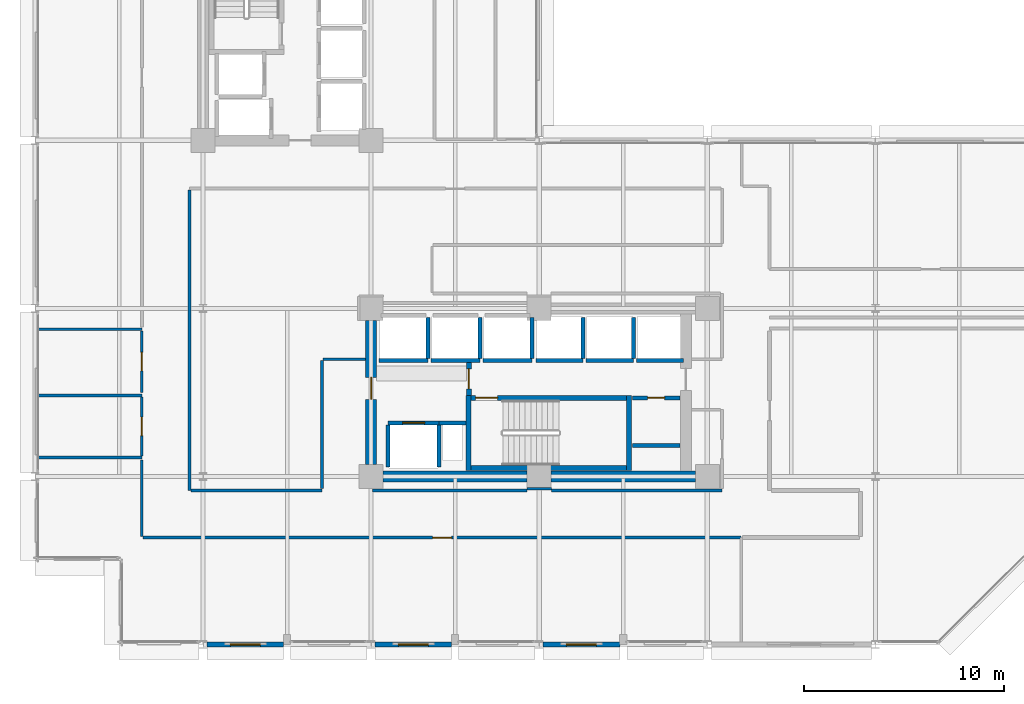
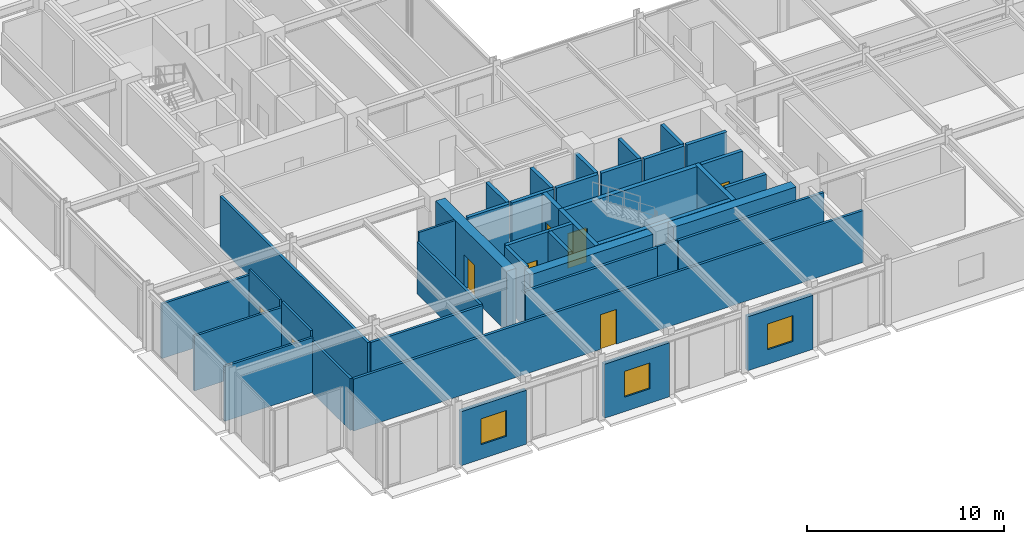
# One storey, part 33 of 40: 42 walls, 8 doors, 3 windows, 11 openings.
"""IFC4 building model written with IfcOpenShell, lengths in metres."""

from ifc_helpers import new_model, si_unit, direction, frame, frame_2d, origin, place, context, subcontext, project, spatial, rectangle, extrude, material, layer, layer_set, type_object, element, fill, save


model = new_model("IFC4")

# Units and contexts
model_context = context("Model", 3, precision=1e-05, world=origin(), true_north=direction((0.0, 1.0)))
body_context = subcontext(model_context, "Body", "Model", "MODEL_VIEW")
ifc_project = project(units=[si_unit("LENGTHUNIT", "METRE"), si_unit("AREAUNIT", "SQUARE_METRE"), si_unit("VOLUMEUNIT", "CUBIC_METRE"), si_unit("PLANEANGLEUNIT", "RADIAN"), si_unit("MASSUNIT", "GRAM", prefix="KILO")], contexts=[model_context])

# Site, building, storey
site_placement = place(None, origin())
site = spatial("IfcSite", under=ifc_project, at=site_placement, CompositionType="ELEMENT")
building_placement = place(site_placement, origin())
building = spatial("IfcBuilding", under=site, at=building_placement, Name="Nerrivon Quay Data Exchange", CompositionType="ELEMENT")
storey_placement = place(building_placement, frame((0.0, 0.0, 109.0)))
storey = spatial("IfcBuildingStorey", under=building, at=storey_placement, Name="L25", CompositionType="ELEMENT", Elevation=109.0)

# Wall, opening, window
ifc_material_1 = material(Name="Architectural terracotta precast concrete N50 (50 MPa)", Category="masonry")
ifc_layer_1 = layer(ifc_material_1, 0.239990234375)
ifc_layer_set_1 = layer_set([ifc_layer_1], Name="Architectural terracotta precast concrete N50 (50 MPa)")
wall_type_1 = type_object("IfcWallType", Name="EW-PREC-240", PredefinedType="STANDARD", material=ifc_layer_set_1)
wall_1_placement = place(storey_placement, frame((29.22509765625, 0.0, 0.0), z_axis=(0.0, 0.0, 1.0), x_axis=(-1.0, 0.0, 0.0)))
wall_1 = element("IfcWall", 1, at=wall_1_placement, inside=storey, type_object=wall_type_1, Name="L25 Podium Precast Spandrel Wall 9", PredefinedType="STANDARD", context=body_context, shape_type="SweptSolid", body=[
    extrude(rectangle(XDim=3.8251953125, YDim=0.239990234375, at=frame_2d((1.91259765625, 0.0))), origin(), (0.0, 0.0, 1.0), 3.346923828125),
])
opening_1_placement = place(wall_1_placement, frame((1.16259765625, 0.0, 0.89990234375)))
opening_1 = element("IfcOpeningElement", 2, at=opening_1_placement, cuts=wall_1, Name="Opening WN4", PredefinedType="OPENING", context=body_context, shape_type="SweptSolid", body=[
    extrude(rectangle(XDim=1.5, YDim=1.60009765625, at=frame_2d((0.75, 0.800048828125))), frame((0.0, 0.1298828125, 0.0), z_axis=(0.0, -1.0, 0.0), x_axis=(1.0, 0.0, 0.0)), (0.0, 0.0, 1.0), 0.260009765625),
])
ifc_material_2 = material(Name="Double-glazed low-E solar control glass", Category="glass")
window_type = type_object("IfcWindowType", Name="WIN-W4-1500x1600", PartitioningType="SINGLE_PANEL", PredefinedType="WINDOW", material=ifc_material_2)
window_1_placement = place(opening_1_placement, origin())
window_1 = element("IfcWindow", 3, at=window_1_placement, inside=storey, type_object=window_type, Name="L25 Solar Facade Window 9", OverallHeight=1.60009765625, OverallWidth=1.5, PartitioningType="SINGLE_PANEL", PredefinedType="WINDOW", context=body_context, shape_type="SweptSolid", body=[
    extrude(rectangle(XDim=1.5, YDim=1.60009765625, at=frame_2d((0.75, 0.800048828125))), frame((0.0, 0.030029296875, 0.0), z_axis=(0.0, -1.0, 0.0), x_axis=(1.0, 0.0, 0.0)), (0.0, 0.0, 1.0), 0.06005859375),
])
fill(opening_1, window_1)

wall_2_placement = place(storey_placement, frame((20.824951171875, 0.0, 0.0), z_axis=(0.0, 0.0, 1.0), x_axis=(-1.0, 0.0, 0.0)))
wall_2 = element("IfcWall", 4, at=wall_2_placement, inside=storey, type_object=wall_type_1, Name="L25 Podium Precast Spandrel Wall 11", PredefinedType="STANDARD", context=body_context, shape_type="SweptSolid", body=[
    extrude(rectangle(XDim=3.824951171875, YDim=0.239990234375, at=frame_2d((1.91259765625, 0.0))), origin(), (0.0, 0.0, 1.0), 3.346923828125),
])
opening_2_placement = place(wall_2_placement, frame((1.16259765625, 0.0, 0.89990234375)))
opening_2 = element("IfcOpeningElement", 5, at=opening_2_placement, cuts=wall_2, Name="Opening WN4", PredefinedType="OPENING", context=body_context, shape_type="SweptSolid", body=[
    extrude(rectangle(XDim=1.5, YDim=1.60009765625, at=frame_2d((0.75, 0.800048828125))), frame((0.0, 0.1298828125, 0.0), z_axis=(0.0, -1.0, 0.0), x_axis=(1.0, 0.0, 0.0)), (0.0, 0.0, 1.0), 0.260009765625),
])
window_2_placement = place(opening_2_placement, origin())
window_2 = element("IfcWindow", 6, at=window_2_placement, inside=storey, type_object=window_type, Name="L25 Solar Facade Window 11", OverallHeight=1.60009765625, OverallWidth=1.5, PartitioningType="SINGLE_PANEL", PredefinedType="WINDOW", context=body_context, shape_type="SweptSolid", body=[
    extrude(rectangle(XDim=1.5, YDim=1.60009765625, at=frame_2d((0.75, 0.800048828125))), frame((0.0, 0.030029296875, 0.0), z_axis=(0.0, -1.0, 0.0), x_axis=(1.0, 0.0, 0.0)), (0.0, 0.0, 1.0), 0.06005859375),
])
fill(opening_2, window_2)

wall_3_placement = place(storey_placement, frame((12.425048828125, 0.0, 0.0), z_axis=(0.0, 0.0, 1.0), x_axis=(-1.0, 0.0, 0.0)))
wall_3 = element("IfcWall", 7, at=wall_3_placement, inside=storey, type_object=wall_type_1, Name="L25 Podium Precast Spandrel Wall 13", PredefinedType="STANDARD", context=body_context, shape_type="SweptSolid", body=[
    extrude(rectangle(XDim=3.824951171875, YDim=0.239990234375, at=frame_2d((1.91259765625, 0.0))), origin(), (0.0, 0.0, 1.0), 3.346923828125),
])
opening_3_placement = place(wall_3_placement, frame((1.16259765625, 0.0, 0.89990234375)))
opening_3 = element("IfcOpeningElement", 8, at=opening_3_placement, cuts=wall_3, Name="Opening WN4", PredefinedType="OPENING", context=body_context, shape_type="SweptSolid", body=[
    extrude(rectangle(XDim=1.5, YDim=1.60009765625, at=frame_2d((0.75, 0.800048828125))), frame((0.0, 0.1298828125, 0.0), z_axis=(0.0, -1.0, 0.0), x_axis=(1.0, 0.0, 0.0)), (0.0, 0.0, 1.0), 0.260009765625),
])
window_3_placement = place(opening_3_placement, origin())
window_3 = element("IfcWindow", 9, at=window_3_placement, inside=storey, type_object=window_type, Name="L25 Solar Facade Window 13", OverallHeight=1.60009765625, OverallWidth=1.5, PartitioningType="SINGLE_PANEL", PredefinedType="WINDOW", context=body_context, shape_type="SweptSolid", body=[
    extrude(rectangle(XDim=1.5, YDim=1.60009765625, at=frame_2d((0.75, 0.800048828125))), frame((0.0, 0.030029296875, 0.0), z_axis=(0.0, -1.0, 0.0), x_axis=(1.0, 0.0, 0.0)), (0.0, 0.0, 1.0), 0.06005859375),
])
fill(opening_3, window_3)

# Walls
ifc_material_3 = material(Name="Concrete S65 (65 MPa)", Category="concrete")
ifc_layer_2 = layer(ifc_material_3, 0.550048828125)
ifc_layer_set_2 = layer_set([ifc_layer_2], Name="Concrete S65 (65 MPa)")
wall_type_2 = type_object("IfcWallType", Name="WALL-CW-700", PredefinedType="SHEAR", material=ifc_layer_set_2)
wall_4_placement = place(storey_placement, frame((17.39990234375, 8.39990234375, 0.0), z_axis=(0.0, 0.0, 1.0), x_axis=(1.0, 0.0, 0.0)))
element("IfcWall", 10, at=wall_4_placement, inside=storey, type_object=wall_type_2, Name="L25 East Split-Core Shear Wall ECW-S1", PredefinedType="SHEAR", context=body_context, shape_type="SweptSolid", body=[
    extrude(rectangle(XDim=7.2001953125, YDim=0.550048828125, at=frame_2d((3.60009765625, 0.0))), origin(), (0.0, 0.0, 1.0), 3.75),
])
wall_5_placement = place(storey_placement, frame((25.800048828125, 8.39990234375, 0.0), z_axis=(0.0, 0.0, 1.0), x_axis=(1.0, 0.0, 0.0)))
element("IfcWall", 11, at=wall_5_placement, inside=storey, type_object=wall_type_2, Name="L25 East Split-Core Shear Wall ECW-S2", PredefinedType="SHEAR", context=body_context, shape_type="SweptSolid", body=[
    extrude(rectangle(XDim=7.199951171875, YDim=0.550048828125, at=frame_2d((3.60009765625, 0.0))), origin(), (0.0, 0.0, 1.0), 3.75),
])

# Wall, opening, door
wall_6_placement = place(storey_placement, frame((16.800048828125, 9.0, 0.0), z_axis=(0.0, 0.0, 1.0), x_axis=(0.0, 1.0, 0.0)))
wall_6 = element("IfcWall", 12, at=wall_6_placement, inside=storey, type_object=wall_type_2, Name="L25 East Split-Core Shear Wall ECW-W1", PredefinedType="SHEAR", context=body_context, shape_type="SweptSolid", body=[
    extrude(rectangle(XDim=7.199951171875, YDim=0.550048828125, at=frame_2d((3.60009765625, 0.0))), origin(), (0.0, 0.0, 1.0), 3.75),
])
opening_4_placement = place(wall_6_placement, frame((3.25, 0.0, 0.0)))
opening_4 = element("IfcOpeningElement", 13, at=opening_4_placement, cuts=wall_6, Name="Opening FD-120", PredefinedType="OPENING", context=body_context, shape_type="SweptSolid", body=[
    extrude(rectangle(XDim=1.10009765625, YDim=2.14990234375, at=frame_2d((0.550048828125, 1.074951171875))), frame((0.0, 0.284912109375, 0.0), z_axis=(0.0, -1.0, 0.0), x_axis=(1.0, 0.0, 0.0)), (0.0, 0.0, 1.0), 0.570068359375),
])
ifc_material_4 = material(Name="Powder-coated galvanized steel sheet", Category="steel")
door_type_1 = type_object("IfcDoorType", Name="DR-FD120-1100", OperationType="NOTDEFINED", PredefinedType="DOOR", material=ifc_material_4)
door_1_placement = place(opening_4_placement, origin())
door_1 = element("IfcDoor", 14, at=door_1_placement, inside=storey, type_object=door_type_1, Name="L25 East Core Lobby Fire Door", OperationType="SINGLE_SWING_RIGHT", OverallHeight=2.14990234375, OverallWidth=1.10009765625, PredefinedType="DOOR", context=body_context, shape_type="SweptSolid", body=[
    extrude(rectangle(XDim=1.10009765625, YDim=2.14990234375, at=frame_2d((0.550048828125, 1.074951171875))), frame((0.0, 0.02490234375, 0.0), z_axis=(0.0, -1.0, 0.0), x_axis=(1.0, 0.0, 0.0)), (0.0, 0.0, 1.0), 0.050048828125),
])
fill(opening_4, door_1)

# Wall
ifc_material_5 = material(Name="Gypsum plasterboard on cold-formed framing", Category="gypsum")
ifc_layer_3 = layer(ifc_material_5, 0.199951171875)
ifc_layer_set_3 = layer_set([ifc_layer_3], Name="Gypsum plasterboard on cold-formed framing")
wall_type_3 = type_object("IfcWallType", Name="WALL-FW-200", PredefinedType="PARTITIONING", material=ifc_layer_set_3)
wall_7_placement = place(storey_placement, frame((20.199951171875, 11.080078125, 0.0), z_axis=(0.0, 0.0, 1.0), x_axis=(1.0, 0.0, 0.0)))
element("IfcWall", 15, at=wall_7_placement, inside=storey, type_object=wall_type_3, Name="L25 East Core MEP Riser Shaft Wall N", PredefinedType="PARTITIONING", context=body_context, shape_type="SweptSolid", body=[
    extrude(rectangle(XDim=1.35009765625, YDim=0.199951171875, at=frame_2d((0.675048828125, 0.0))), origin(), (0.0, 0.0, 1.0), 3.75),
])

# Wall, opening, door
wall_8_placement = place(storey_placement, frame((17.64990234375, 11.080078125, 0.0), z_axis=(0.0, 0.0, 1.0), x_axis=(1.0, 0.0, 0.0)))
wall_8 = element("IfcWall", 16, at=wall_8_placement, inside=storey, type_object=wall_type_3, Name="L25 Lift Front Wall FFL-2", PredefinedType="PARTITIONING", context=body_context, shape_type="SweptSolid", body=[
    extrude(rectangle(XDim=2.550048828125, YDim=0.199951171875, at=frame_2d((1.27490234375, 0.0))), origin(), (0.0, 0.0, 1.0), 3.75),
])
opening_5_placement = place(wall_8_placement, frame((0.72509765625, 0.0, 0.0)))
opening_5 = element("IfcOpeningElement", 17, at=opening_5_placement, cuts=wall_8, Name="Opening LD-120", PredefinedType="OPENING", context=body_context, shape_type="SweptSolid", body=[
    extrude(rectangle(XDim=1.10009765625, YDim=2.199951171875, at=frame_2d((0.550048828125, 1.10009765625))), frame((0.0, 0.10986328125, 0.0), z_axis=(0.0, -1.0, 0.0), x_axis=(1.0, 0.0, 0.0)), (0.0, 0.0, 1.0), 0.219970703125),
])
door_type_2 = type_object("IfcDoorType", Name="DR-LIFT-LD120", OperationType="DOUBLE_DOOR_SLIDING", PredefinedType="DOOR", material=ifc_material_4)
door_2_placement = place(opening_5_placement, origin())
door_2 = element("IfcDoor", 18, at=door_2_placement, inside=storey, type_object=door_type_2, Name="L25 Lift Landing Sliding Door FFL-2", OperationType="DOUBLE_DOOR_SLIDING", OverallHeight=2.199951171875, OverallWidth=1.10009765625, PredefinedType="DOOR", context=body_context, shape_type="SweptSolid", body=[
    extrude(rectangle(XDim=1.10009765625, YDim=2.199951171875, at=frame_2d((0.550048828125, 1.10009765625))), frame((0.0, 0.02490234375, 0.0), z_axis=(0.0, -1.0, 0.0), x_axis=(1.0, 0.0, 0.0)), (0.0, 0.0, 1.0), 0.050048828125),
])
fill(opening_5, door_2)

# Walls
for number, where, z_axis, x_axis, name in (
    (19, (20.199951171875, 8.8798828125, 0.0), (0.0, 0.0, 1.0), (0.0, 1.0, 0.0), "L25 Lift Shaft Wall FFL-2 EAST"),
    (20, (17.64990234375, 8.8798828125, 0.0), (0.0, 0.0, 1.0), (0.0, 1.0, 0.0), "L25 Lift Shaft Wall FFL-2 WEST"),
):
    element("IfcWall", number, at=place(storey_placement, frame(where, z_axis=z_axis, x_axis=x_axis)), inside=storey, type_object=wall_type_3, Name=name, PredefinedType="PARTITIONING", context=body_context, shape_type="SweptSolid", body=[
        extrude(rectangle(XDim=2.10009765625, YDim=0.199951171875, at=frame_2d((1.050048828125, 0.0))), origin(), (0.0, 0.0, 1.0), 3.75),
    ])
wall_9_placement = place(storey_placement, frame((17.199951171875, 14.199951171875, 0.0), z_axis=(0.0, 0.0, 1.0), x_axis=(1.0, 0.0, 0.0)))
element("IfcWall", 21, at=wall_9_placement, inside=storey, type_object=wall_type_3, Name="L25 Lift Front Wall PL4", PredefinedType="PARTITIONING", context=body_context, shape_type="SweptSolid", body=[
    extrude(rectangle(XDim=2.449951171875, YDim=0.199951171875, at=frame_2d((1.22509765625, 0.0))), origin(), (0.0, 0.0, 1.0), 3.75),
])
wall_10_placement = place(storey_placement, frame((19.64990234375, 14.300048828125, 0.0), z_axis=(0.0, 0.0, 1.0), x_axis=(0.0, 1.0, 0.0)))
element("IfcWall", 22, at=wall_10_placement, inside=storey, type_object=wall_type_3, Name="L25 Lift Shaft Wall PL4 EAST", PredefinedType="PARTITIONING", context=body_context, shape_type="SweptSolid", body=[
    extrude(rectangle(XDim=2.050048828125, YDim=0.199951171875, at=frame_2d((1.02490234375, 0.0))), origin(), (0.0, 0.0, 1.0), 3.75),
])
wall_11_placement = place(storey_placement, frame((19.800048828125, 14.199951171875, 0.0), z_axis=(0.0, 0.0, 1.0), x_axis=(1.0, 0.0, 0.0)))
element("IfcWall", 23, at=wall_11_placement, inside=storey, type_object=wall_type_3, Name="L25 Lift Front Wall PL5", PredefinedType="PARTITIONING", context=body_context, shape_type="SweptSolid", body=[
    extrude(rectangle(XDim=2.449951171875, YDim=0.199951171875, at=frame_2d((1.22509765625, 0.0))), origin(), (0.0, 0.0, 1.0), 3.75),
])
wall_12_placement = place(storey_placement, frame((22.25, 14.300048828125, 0.0), z_axis=(0.0, 0.0, 1.0), x_axis=(0.0, 1.0, 0.0)))
element("IfcWall", 24, at=wall_12_placement, inside=storey, type_object=wall_type_3, Name="L25 Lift Shaft Wall PL5 EAST", PredefinedType="PARTITIONING", context=body_context, shape_type="SweptSolid", body=[
    extrude(rectangle(XDim=2.050048828125, YDim=0.199951171875, at=frame_2d((1.02490234375, 0.0))), origin(), (0.0, 0.0, 1.0), 3.75),
])
wall_13_placement = place(storey_placement, frame((22.39990234375, 14.199951171875, 0.0), z_axis=(0.0, 0.0, 1.0), x_axis=(1.0, 0.0, 0.0)))
element("IfcWall", 25, at=wall_13_placement, inside=storey, type_object=wall_type_3, Name="L25 Lift Front Wall PL6", PredefinedType="PARTITIONING", context=body_context, shape_type="SweptSolid", body=[
    extrude(rectangle(XDim=2.4501953125, YDim=0.199951171875, at=frame_2d((1.22509765625, 0.0))), origin(), (0.0, 0.0, 1.0), 3.75),
])
wall_14_placement = place(storey_placement, frame((24.85009765625, 14.300048828125, 0.0), z_axis=(0.0, 0.0, 1.0), x_axis=(0.0, 1.0, 0.0)))
element("IfcWall", 26, at=wall_14_placement, inside=storey, type_object=wall_type_3, Name="L25 Lift Shaft Wall PL6 EAST", PredefinedType="PARTITIONING", context=body_context, shape_type="SweptSolid", body=[
    extrude(rectangle(XDim=2.050048828125, YDim=0.199951171875, at=frame_2d((1.02490234375, 0.0))), origin(), (0.0, 0.0, 1.0), 3.75),
])
wall_15_placement = place(storey_placement, frame((25.050048828125, 14.199951171875, 0.0), z_axis=(0.0, 0.0, 1.0), x_axis=(1.0, 0.0, 0.0)))
element("IfcWall", 27, at=wall_15_placement, inside=storey, type_object=wall_type_3, Name="L25 Lift Front Wall PL7", PredefinedType="PARTITIONING", context=body_context, shape_type="SweptSolid", body=[
    extrude(rectangle(XDim=2.349853515625, YDim=0.199951171875, at=frame_2d((1.1748046875, 0.0))), origin(), (0.0, 0.0, 1.0), 3.75),
])
wall_16_placement = place(storey_placement, frame((27.39990234375, 14.300048828125, 0.0), z_axis=(0.0, 0.0, 1.0), x_axis=(0.0, 1.0, 0.0)))
element("IfcWall", 28, at=wall_16_placement, inside=storey, type_object=wall_type_3, Name="L25 Lift Shaft Wall PL7 EAST", PredefinedType="PARTITIONING", context=body_context, shape_type="SweptSolid", body=[
    extrude(rectangle(XDim=2.050048828125, YDim=0.199951171875, at=frame_2d((1.02490234375, 0.0))), origin(), (0.0, 0.0, 1.0), 3.75),
])
wall_17_placement = place(storey_placement, frame((27.550048828125, 14.199951171875, 0.0), z_axis=(0.0, 0.0, 1.0), x_axis=(1.0, 0.0, 0.0)))
element("IfcWall", 29, at=wall_17_placement, inside=storey, type_object=wall_type_3, Name="L25 Lift Front Wall PL8", PredefinedType="PARTITIONING", context=body_context, shape_type="SweptSolid", body=[
    extrude(rectangle(XDim=2.349853515625, YDim=0.199951171875, at=frame_2d((1.1748046875, 0.0))), origin(), (0.0, 0.0, 1.0), 3.75),
])
wall_18_placement = place(storey_placement, frame((29.89990234375, 14.300048828125, 0.0), z_axis=(0.0, 0.0, 1.0), x_axis=(0.0, 1.0, 0.0)))
element("IfcWall", 30, at=wall_18_placement, inside=storey, type_object=wall_type_3, Name="L25 Lift Shaft Wall PL8 EAST", PredefinedType="PARTITIONING", context=body_context, shape_type="SweptSolid", body=[
    extrude(rectangle(XDim=2.050048828125, YDim=0.199951171875, at=frame_2d((1.02490234375, 0.0))), origin(), (0.0, 0.0, 1.0), 3.75),
])
wall_19_placement = place(storey_placement, frame((30.050048828125, 14.199951171875, 0.0), z_axis=(0.0, 0.0, 1.0), x_axis=(1.0, 0.0, 0.0)))
element("IfcWall", 31, at=wall_19_placement, inside=storey, type_object=wall_type_3, Name="L25 Lift Front Wall PL9", PredefinedType="PARTITIONING", context=body_context, shape_type="SweptSolid", body=[
    extrude(rectangle(XDim=2.349853515625, YDim=0.199951171875, at=frame_2d((1.1748046875, 0.0))), origin(), (0.0, 0.0, 1.0), 3.75),
])

# Wall, opening, door
wall_20_placement = place(storey_placement, frame((32.24609375, 12.330078125, 0.0), z_axis=(0.0, 0.0, 1.0), x_axis=(-1.0, 0.0, 0.0)))
wall_20 = element("IfcWall", 32, at=wall_20_placement, inside=storey, type_object=wall_type_3, Name="L25 Partition East Supply Store", PredefinedType="PARTITIONING", context=body_context, shape_type="SweptSolid", body=[
    extrude(rectangle(XDim=2.39599609375, YDim=0.199951171875, at=frame_2d((1.197998046875, 0.0))), origin(), (0.0, 0.0, 1.0), 3.75),
])
opening_6_placement = place(wall_20_placement, frame((0.77294921875, 0.0, 0.0)))
opening_6 = element("IfcOpeningElement", 33, at=opening_6_placement, cuts=wall_20, Name="Opening FD-60S", PredefinedType="OPENING", context=body_context, shape_type="SweptSolid", body=[
    extrude(rectangle(XDim=0.85009765625, YDim=2.14990234375, at=frame_2d((0.425048828125, 1.074951171875))), frame((0.0, 0.10986328125, 0.0), z_axis=(0.0, -1.0, 0.0), x_axis=(1.0, 0.0, 0.0)), (0.0, 0.0, 1.0), 0.219970703125),
])
ifc_material_6 = material(Name="Engineered hardwood timber", Category="wood")
door_type_3 = type_object("IfcDoorType", Name="DR-FD60-850", OperationType="NOTDEFINED", PredefinedType="DOOR", material=ifc_material_6)
door_3_placement = place(opening_6_placement, origin())
door_3 = element("IfcDoor", 34, at=door_3_placement, inside=storey, type_object=door_type_3, Name="L25 Door East Supply Store", OperationType="SINGLE_SWING_LEFT", OverallHeight=2.14990234375, OverallWidth=0.85009765625, PredefinedType="DOOR", context=body_context, shape_type="SweptSolid", body=[
    extrude(rectangle(XDim=0.85009765625, YDim=2.14990234375, at=frame_2d((0.425048828125, 1.074951171875))), frame((0.0, 0.02490234375, 0.0), z_axis=(0.0, -1.0, 0.0), x_axis=(1.0, 0.0, 0.0)), (0.0, 0.0, 1.0), 0.050048828125),
])
fill(opening_6, door_3)

# Wall
wall_21_placement = place(storey_placement, frame((29.85009765625, 9.949951171875, 0.0), z_axis=(0.0, 0.0, 1.0), x_axis=(1.0, 0.0, 0.0)))
element("IfcWall", 35, at=wall_21_placement, inside=storey, type_object=wall_type_3, Name="L25 Partition East Supply Store", PredefinedType="PARTITIONING", context=body_context, shape_type="SweptSolid", body=[
    extrude(rectangle(XDim=2.39599609375, YDim=0.199951171875, at=frame_2d((1.197998046875, 0.0))), origin(), (0.0, 0.0, 1.0), 3.75),
])

# Wall, opening, door
ifc_layer_4 = layer(ifc_material_5, 0.1201171875)
ifc_layer_set_4 = layer_set([ifc_layer_4], Name="Gypsum plasterboard on cold-formed framing")
wall_type_4 = type_object("IfcWallType", Name="WALL-PT-120", PredefinedType="PARTITIONING", material=ifc_layer_set_4)
wall_22_placement = place(storey_placement, frame((5.340087890625, 9.42138671875, 0.0), z_axis=(0.0, 0.0, 1.0), x_axis=(0.0, 1.0, 0.0)))
wall_22 = element("IfcWall", 36, at=wall_22_placement, inside=storey, type_object=wall_type_4, Name="L25 Partition Accessible Toilet", PredefinedType="PARTITIONING", context=body_context, shape_type="SweptSolid", body=[
    extrude(rectangle(XDim=2.95703125, YDim=0.1201171875, at=frame_2d((1.478515625, 0.0))), origin(), (0.0, 0.0, 1.0), 3.75),
])
opening_7_placement = place(wall_22_placement, frame((1.0185546875, 0.0, 0.0)))
opening_7 = element("IfcOpeningElement", 37, at=opening_7_placement, cuts=wall_22, Name="Opening D-WC", PredefinedType="OPENING", context=body_context, shape_type="SweptSolid", body=[
    extrude(rectangle(XDim=0.919921875, YDim=2.10009765625, at=frame_2d((0.4599609375, 1.050048828125))), frame((0.0, 0.070068359375, 0.0), z_axis=(0.0, -1.0, 0.0), x_axis=(1.0, 0.0, 0.0)), (0.0, 0.0, 1.0), 0.14013671875),
])
door_type_4 = type_object("IfcDoorType", Name="DR-WC-920", OperationType="NOTDEFINED", PredefinedType="DOOR", material=ifc_material_6)
door_4_placement = place(opening_7_placement, origin())
door_4 = element("IfcDoor", 38, at=door_4_placement, inside=storey, type_object=door_type_4, Name="L25 Door Accessible Toilet", OperationType="SINGLE_SWING_RIGHT", OverallHeight=2.10009765625, OverallWidth=0.919921875, PredefinedType="DOOR", context=body_context, shape_type="SweptSolid", body=[
    extrude(rectangle(XDim=0.919921875, YDim=2.10009765625, at=frame_2d((0.4599609375, 1.050048828125))), frame((0.0, 0.02490234375, 0.0), z_axis=(0.0, -1.0, 0.0), x_axis=(1.0, 0.0, 0.0)), (0.0, 0.0, 1.0), 0.050048828125),
])
fill(opening_7, door_4)

wall_23_placement = place(storey_placement, frame((5.340087890625, 12.60009765625, 0.0), z_axis=(0.0, 0.0, 1.0), x_axis=(0.0, 1.0, 0.0)))
wall_23 = element("IfcWall", 39, at=wall_23_placement, inside=storey, type_object=wall_type_4, Name="L25 Partition Public Washrooms", PredefinedType="PARTITIONING", context=body_context, shape_type="SweptSolid", body=[
    extrude(rectangle(XDim=3.078369140625, YDim=0.1201171875, at=frame_2d((1.5390625, 0.0))), origin(), (0.0, 0.0, 1.0), 3.75),
])
opening_8_placement = place(wall_23_placement, frame((1.079345703125, 0.0, 0.0)))
opening_8 = element("IfcOpeningElement", 40, at=opening_8_placement, cuts=wall_23, Name="Opening D-WC", PredefinedType="OPENING", context=body_context, shape_type="SweptSolid", body=[
    extrude(rectangle(XDim=0.919921875, YDim=2.10009765625, at=frame_2d((0.4599609375, 1.050048828125))), frame((0.0, 0.070068359375, 0.0), z_axis=(0.0, -1.0, 0.0), x_axis=(1.0, 0.0, 0.0)), (0.0, 0.0, 1.0), 0.14013671875),
])
door_5_placement = place(opening_8_placement, origin())
door_5 = element("IfcDoor", 41, at=door_5_placement, inside=storey, type_object=door_type_4, Name="L25 Door Public Washrooms", OperationType="SINGLE_SWING_LEFT", OverallHeight=2.10009765625, OverallWidth=0.919921875, PredefinedType="DOOR", context=body_context, shape_type="SweptSolid", body=[
    extrude(rectangle(XDim=0.919921875, YDim=2.10009765625, at=frame_2d((0.4599609375, 1.050048828125))), frame((0.0, 0.02490234375, 0.0), z_axis=(0.0, -1.0, 0.0), x_axis=(1.0, 0.0, 0.0)), (0.0, 0.0, 1.0), 0.050048828125),
])
fill(opening_8, door_5)

# Walls
wall_24_placement = place(storey_placement, frame((25.805908203125, 7.781005859375, 0.0), z_axis=(0.0, 0.0, 1.0), x_axis=(-0.999999672047, -0.000809880277, 0.0)))
element("IfcWall", 42, at=wall_24_placement, inside=storey, type_object=wall_type_4, Name="L25 Partition Staff Pantry", PredefinedType="PARTITIONING", context=body_context, shape_type="SweptSolid", body=[
    extrude(rectangle(XDim=1.205810546875, YDim=0.1201171875, at=frame_2d((0.60302734375, 0.0))), origin(), (0.0, 0.0, 1.0), 3.221923828125),
])
wall_25_placement = place(storey_placement, frame((14.39990234375, 14.260009765625, 0.0), z_axis=(0.0, 0.0, 1.0), x_axis=(1.0, 0.0, 0.0)))
element("IfcWall", 43, at=wall_25_placement, inside=storey, type_object=wall_type_4, Name="L25 Partition Cloud Compute Workspace 1", PredefinedType="PARTITIONING", context=body_context, shape_type="SweptSolid", body=[
    extrude(rectangle(XDim=2.12109375, YDim=0.1201171875, at=frame_2d((1.060546875, 0.0))), origin(), (0.0, 0.0, 1.0), 3.75),
])
ifc_layer_5 = layer(ifc_material_5, 0.135009765625)
ifc_layer_set_5 = layer_set([ifc_layer_5], Name="Gypsum plasterboard on cold-formed framing")
wall_type_5 = type_object("IfcWallType", Name="WALL-PT-135", PredefinedType="PARTITIONING", material=ifc_layer_set_5)
for number, where, z_axis, x_axis, name in (
    (44, (5.340087890625, 12.449951171875, 0.0), (0.0, 0.0, 1.0), (-1.0, 0.0, 0.0), "L25 Partition Accessible Toilet"),
    (45, (0.1689453125, 9.35009765625, 0.0), (0.0, 0.0, 1.0), (1.0, 0.0, 0.0), "L25 Partition Accessible Toilet"),
    (46, (5.340087890625, 15.75, 0.0), (0.0, 0.0, 1.0), (-1.0, 0.0, 0.0), "L25 Partition Public Washrooms"),
):
    element("IfcWall", number, at=place(storey_placement, frame(where, z_axis=z_axis, x_axis=x_axis)), inside=storey, type_object=wall_type_5, Name=name, PredefinedType="PARTITIONING", context=body_context, shape_type="SweptSolid", body=[
        extrude(rectangle(XDim=5.171142578125, YDim=0.135009765625, at=frame_2d((2.58544921875, 0.0))), origin(), (0.0, 0.0, 1.0), 3.39404296875),
    ])
wall_26_placement = place(storey_placement, frame((5.340087890625, 5.39990234375, 0.0), z_axis=(0.0, 0.0, 1.0), x_axis=(0.0, 1.0, 0.0)))
element("IfcWall", 47, at=wall_26_placement, inside=storey, type_object=wall_type_5, Name="L25 Partition Technical Library", PredefinedType="PARTITIONING", context=body_context, shape_type="SweptSolid", body=[
    extrude(rectangle(XDim=3.830078125, YDim=0.135009765625, at=frame_2d((1.9150390625, 0.0))), origin(), (0.0, 0.0, 1.0), 3.217041015625),
])
ifc_layer_6 = layer(ifc_material_5, 0.14990234375)
ifc_layer_set_6 = layer_set([ifc_layer_6], Name="Gypsum plasterboard on cold-formed framing")
wall_type_6 = type_object("IfcWallType", Name="WALL-PT-150", PredefinedType="PARTITIONING", material=ifc_layer_set_6)
wall_27_placement = place(storey_placement, frame((16.860107421875, 7.7099609375, 0.0), z_axis=(0.0, 0.0, 1.0), x_axis=(1.0, 0.0, 0.0)))
element("IfcWall", 48, at=wall_27_placement, inside=storey, type_object=wall_type_6, Name="L25 Partition Staff Pantry", PredefinedType="PARTITIONING", context=body_context, shape_type="SweptSolid", body=[
    extrude(rectangle(XDim=7.739990234375, YDim=0.14990234375, at=frame_2d((3.8701171875, 0.0))), origin(), (0.0, 0.0, 1.0), 3.221923828125),
])
wall_28_placement = place(storey_placement, frame((25.805908203125, 7.7099609375, 0.0), z_axis=(0.0, 0.0, 1.0), x_axis=(1.0, 0.0, 0.0)))
element("IfcWall", 49, at=wall_28_placement, inside=storey, type_object=wall_type_6, Name="L25 Partition Staff Pantry", PredefinedType="PARTITIONING", context=body_context, shape_type="SweptSolid", body=[
    extrude(rectangle(XDim=8.5341796875, YDim=0.14990234375, at=frame_2d((4.26708984375, 0.0))), origin(), (0.0, 0.0, 1.0), 3.221923828125),
])

# Wall, opening, door
wall_29_placement = place(storey_placement, frame((35.297119140625, 5.340087890625, 0.0), z_axis=(0.0, 0.0, 1.0), x_axis=(-0.999999999967, 8.164398e-06, 0.0)))
wall_29 = element("IfcWall", 50, at=wall_29_placement, inside=storey, type_object=wall_type_6, Name="L25 Partition Technical Library", PredefinedType="PARTITIONING", context=body_context, shape_type="SweptSolid", body=[
    extrude(rectangle(XDim=29.903076171875, YDim=0.14990234375, at=frame_2d((14.95166015625, 0.0))), origin(), (0.0, 0.0, 1.0), 3.221923828125),
])
opening_9_placement = place(wall_29_placement, frame((14.4765625, 0.0, 0.0)))
opening_9 = element("IfcOpeningElement", 51, at=opening_9_placement, cuts=wall_29, Name="Opening D-01", PredefinedType="OPENING", context=body_context, shape_type="SweptSolid", body=[
    extrude(rectangle(XDim=0.949951171875, YDim=2.14990234375, at=frame_2d((0.47509765625, 1.074951171875))), frame((0.0, 0.0849609375, 0.0), z_axis=(0.0, -1.0, 0.0), x_axis=(1.0, 0.0, 0.0)), (0.0, 0.0, 1.0), 0.169921875),
])
door_type_5 = type_object("IfcDoorType", Name="DR-INT-950", OperationType="NOTDEFINED", PredefinedType="DOOR", material=ifc_material_6)
door_6_placement = place(opening_9_placement, origin())
door_6 = element("IfcDoor", 52, at=door_6_placement, inside=storey, type_object=door_type_5, Name="L25 Door Technical Library", OperationType="SINGLE_SWING_LEFT", OverallHeight=2.14990234375, OverallWidth=0.949951171875, PredefinedType="DOOR", context=body_context, shape_type="SweptSolid", body=[
    extrude(rectangle(XDim=0.949951171875, YDim=2.14990234375, at=frame_2d((0.47509765625, 1.074951171875))), frame((0.0, 0.02490234375, 0.0), z_axis=(0.0, -1.0, 0.0), x_axis=(1.0, 0.0, 0.0)), (0.0, 0.0, 1.0), 0.050048828125),
])
fill(opening_9, door_6)

# Walls
wall_30_placement = place(storey_placement, frame((7.7099609375, 22.7109375, 0.0), z_axis=(0.0, 0.0, 1.0), x_axis=(0.0, -1.0, 0.0)))
element("IfcWall", 53, at=wall_30_placement, inside=storey, type_object=wall_type_6, Name="L25 Partition Cloud Compute Workspace 1", PredefinedType="PARTITIONING", context=body_context, shape_type="SweptSolid", body=[
    extrude(rectangle(XDim=15.0009765625, YDim=0.14990234375, at=frame_2d((7.50048828125, 0.0))), origin(), (0.0, 0.0, 1.0), 3.217041015625),
])
wall_31_placement = place(storey_placement, frame((7.7890625, 7.7099609375, 0.0), z_axis=(0.0, 0.0, 1.0), x_axis=(1.0, 0.0, 0.0)))
element("IfcWall", 54, at=wall_31_placement, inside=storey, type_object=wall_type_6, Name="L25 Partition Cloud Compute Workspace 1", PredefinedType="PARTITIONING", context=body_context, shape_type="SweptSolid", body=[
    extrude(rectangle(XDim=6.551025390625, YDim=0.14990234375, at=frame_2d((3.275390625, 0.0))), origin(), (0.0, 0.0, 1.0), 3.221923828125),
])
wall_32_placement = place(storey_placement, frame((14.340087890625, 7.7890625, 0.0), z_axis=(0.0, 0.0, 1.0), x_axis=(0.0, 1.0, 0.0)))
element("IfcWall", 55, at=wall_32_placement, inside=storey, type_object=wall_type_6, Name="L25 Partition Cloud Compute Workspace 1", PredefinedType="PARTITIONING", context=body_context, shape_type="SweptSolid", body=[
    extrude(rectangle(XDim=6.410888671875, YDim=0.14990234375, at=frame_2d((3.20556640625, 0.0))), origin(), (0.0, 0.0, 1.0), 3.217041015625),
])
ifc_material_7 = material(Name="Concrete N50 (50 MPa)", Category="concrete")
ifc_layer_7 = layer(ifc_material_7, 0.25)
ifc_layer_set_7 = layer_set([ifc_layer_7], Name="Concrete N50 (50 MPa)")
wall_type_7 = type_object("IfcWallType", Name="WALL-SW-250", PredefinedType="SHEAR", material=ifc_layer_set_7)
for number, where, z_axis, x_axis, name in (
    (56, (21.675048828125, 8.699951171875, 0.0), (0.0, 0.0, 1.0), (0.0, 1.0, 0.0), "L25 ST02 Structural Stair Core Wall NEAR"),
    (57, (29.675048828125, 8.699951171875, 0.0), (0.0, 0.0, 1.0), (0.0, 1.0, 0.0), "L25 ST02 Structural Stair Core Wall FAR"),
):
    element("IfcWall", number, at=place(storey_placement, frame(where, z_axis=z_axis, x_axis=x_axis)), inside=storey, type_object=wall_type_7, Name=name, PredefinedType="SHEAR", context=body_context, shape_type="SweptSolid", body=[
        extrude(rectangle(XDim=3.75, YDim=0.25, at=frame_2d((1.875, 0.0))), origin(), (0.0, 0.0, 1.0), 3.75),
    ])
wall_33_placement = place(storey_placement, frame((21.800048828125, 8.824951171875, 0.0), z_axis=(0.0, 0.0, 1.0), x_axis=(1.0, 0.0, 0.0)))
element("IfcWall", 58, at=wall_33_placement, inside=storey, type_object=wall_type_7, Name="L25 ST02 Structural Stair Core Wall LEFT", PredefinedType="SHEAR", context=body_context, shape_type="SweptSolid", body=[
    extrude(rectangle(XDim=7.75, YDim=0.25, at=frame_2d((3.875, 0.0))), origin(), (0.0, 0.0, 1.0), 3.75),
])

# Wall, opening, door
wall_34_placement = place(storey_placement, frame((21.800048828125, 12.324951171875, 0.0), z_axis=(0.0, 0.0, 1.0), x_axis=(1.0, 0.0, 0.0)))
wall_34 = element("IfcWall", 59, at=wall_34_placement, inside=storey, type_object=wall_type_7, Name="L25 ST02 Structural Stair Core Wall RIGHT", PredefinedType="SHEAR", context=body_context, shape_type="SweptSolid", body=[
    extrude(rectangle(XDim=7.75, YDim=0.25, at=frame_2d((3.875, 0.0))), origin(), (0.0, 0.0, 1.0), 3.75),
])
opening_10_placement = place(wall_34_placement, frame((0.219970703125, 0.0, 0.0)))
opening_10 = element("IfcOpeningElement", 60, at=opening_10_placement, cuts=wall_34, Name="Opening FD-120", PredefinedType="OPENING", context=body_context, shape_type="SweptSolid", body=[
    extrude(rectangle(XDim=1.10009765625, YDim=2.14990234375, at=frame_2d((0.550048828125, 1.074951171875))), frame((0.0, 0.135009765625, 0.0), z_axis=(0.0, -1.0, 0.0), x_axis=(1.0, 0.0, 0.0)), (0.0, 0.0, 1.0), 0.27001953125),
])
door_7_placement = place(opening_10_placement, origin())
door_7 = element("IfcDoor", 61, at=door_7_placement, inside=storey, type_object=door_type_1, Name="L25 Protected Stair Door ST02", OperationType="SINGLE_SWING_RIGHT", OverallHeight=2.14990234375, OverallWidth=1.10009765625, PredefinedType="DOOR", context=body_context, shape_type="SweptSolid", body=[
    extrude(rectangle(XDim=1.10009765625, YDim=2.14990234375, at=frame_2d((0.550048828125, 1.074951171875))), frame((0.0, 0.02490234375, 0.0), z_axis=(0.0, -1.0, 0.0), x_axis=(1.0, 0.0, 0.0)), (0.0, 0.0, 1.0), 0.050048828125),
])
fill(opening_10, door_7)

wall_35_placement = place(storey_placement, frame((21.679931640625, 12.449951171875, 0.0), z_axis=(0.0, 0.0, 1.0), x_axis=(0.0, 1.0, 0.0)))
wall_35 = element("IfcWall", 62, at=wall_35_placement, inside=storey, type_object=wall_type_7, Name="L25 East Firefighting Lobby Wall", PredefinedType="SHEAR", context=body_context, shape_type="SweptSolid", body=[
    extrude(rectangle(XDim=1.650146484375, YDim=0.25, at=frame_2d((0.8251953125, 0.0))), origin(), (0.0, 0.0, 1.0), 3.75),
])
opening_11_placement = place(wall_35_placement, frame((0.324951171875, 0.0, 0.0)))
opening_11 = element("IfcOpeningElement", 63, at=opening_11_placement, cuts=wall_35, Name="Opening FD-60", PredefinedType="OPENING", context=body_context, shape_type="SweptSolid", body=[
    extrude(rectangle(XDim=1.0, YDim=2.14990234375, at=frame_2d((0.5, 1.074951171875))), frame((0.0, 0.135009765625, 0.0), z_axis=(0.0, -1.0, 0.0), x_axis=(1.0, 0.0, 0.0)), (0.0, 0.0, 1.0), 0.27001953125),
])
door_type_6 = type_object("IfcDoorType", Name="DR-FD60-1000", OperationType="NOTDEFINED", PredefinedType="DOOR", material=ifc_material_6)
door_8_placement = place(opening_11_placement, origin())
door_8 = element("IfcDoor", 64, at=door_8_placement, inside=storey, type_object=door_type_6, Name="L25 East Firefighting Lobby Fire Door", OperationType="SINGLE_SWING_RIGHT", OverallHeight=2.14990234375, OverallWidth=1.0, PredefinedType="DOOR", context=body_context, shape_type="SweptSolid", body=[
    extrude(rectangle(XDim=1.0, YDim=2.14990234375, at=frame_2d((0.5, 1.074951171875))), frame((0.0, 0.02490234375, 0.0), z_axis=(0.0, -1.0, 0.0), x_axis=(1.0, 0.0, 0.0)), (0.0, 0.0, 1.0), 0.050048828125),
])
fill(opening_11, door_8)

save(model, "model.ifc")
